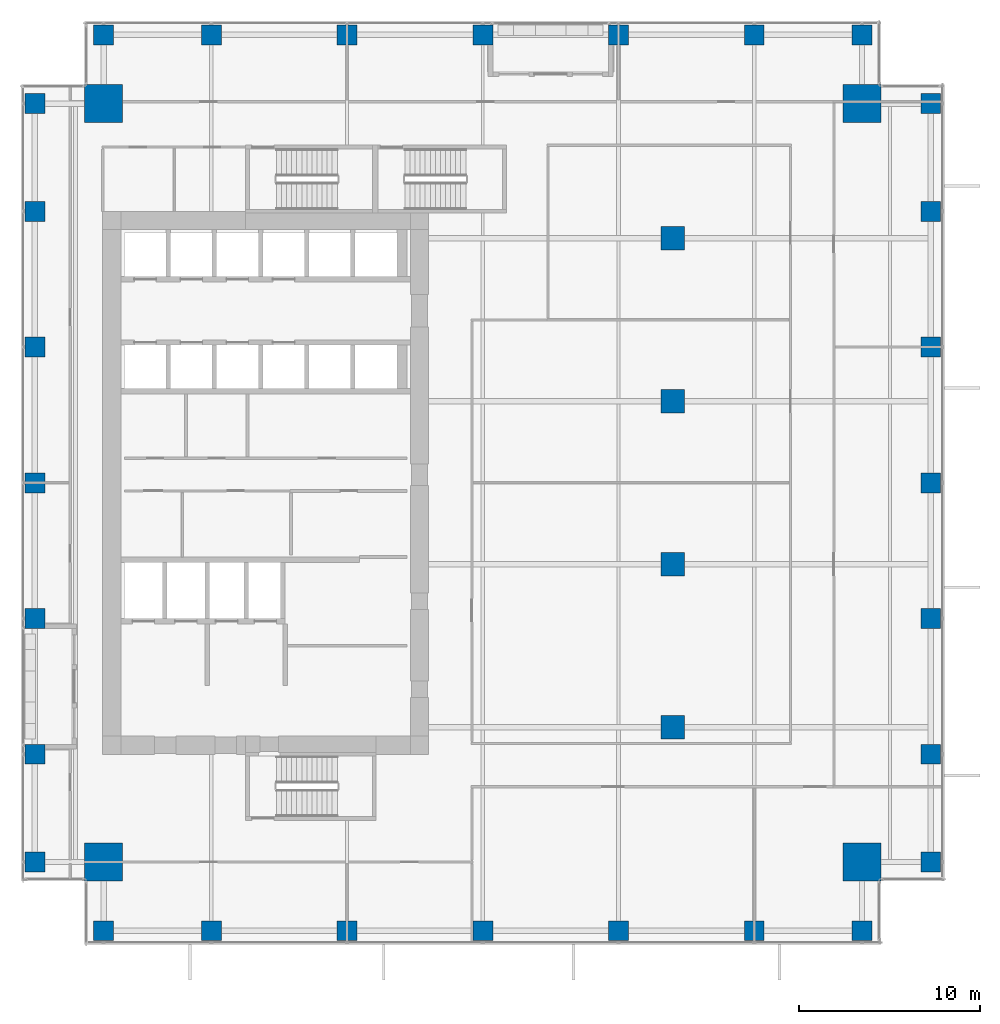
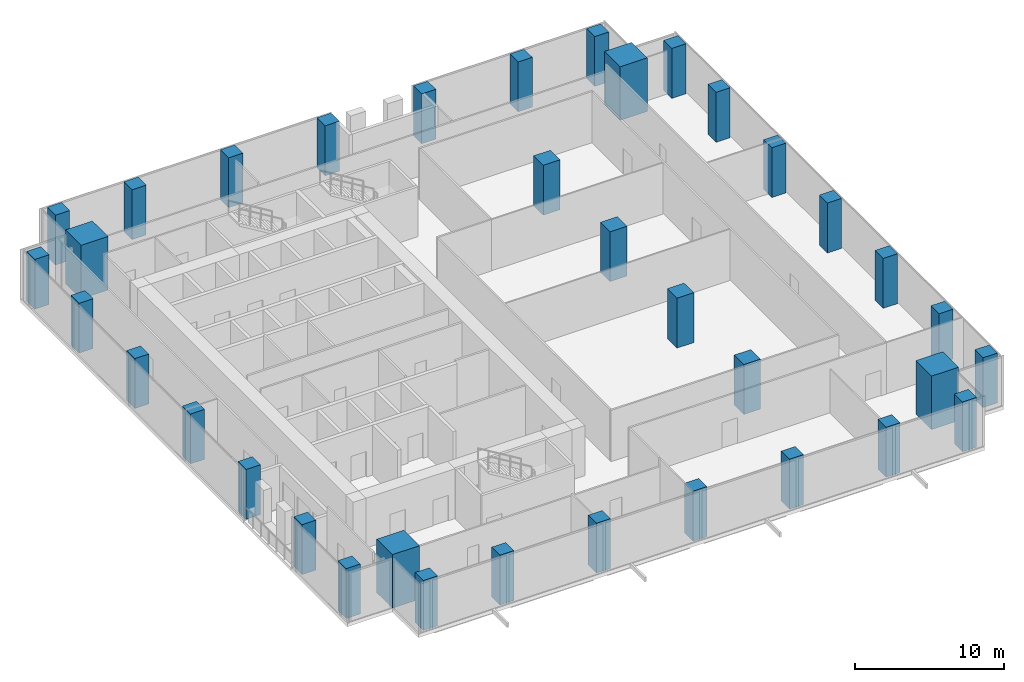
# One storey, part 1 of 34: 36 columns.
"""IFC4 building model written with IfcOpenShell, lengths in metres."""

from ifc_helpers import new_model, si_unit, direction, frame, origin, origin_2d, place, context, subcontext, project, spatial, rectangle, extrude, source, transform, mapped, material, material_profile, profile_set, type_object, element, save


model = new_model("IFC4")

# Units and contexts
model_context = context("Model", 3, precision=1e-05, world=origin(), true_north=direction((0.0, 1.0)))
body_context = subcontext(model_context, "Body", "Model", "MODEL_VIEW")
ifc_project = project(units=[si_unit("LENGTHUNIT", "METRE"), si_unit("AREAUNIT", "SQUARE_METRE"), si_unit("VOLUMEUNIT", "CUBIC_METRE"), si_unit("PLANEANGLEUNIT", "RADIAN"), si_unit("MASSUNIT", "GRAM", prefix="KILO")], contexts=[model_context])

# Site, building, storey
site_placement = place(None, origin())
site = spatial("IfcSite", under=ifc_project, at=site_placement, CompositionType="ELEMENT")
building_placement = place(site_placement, origin())
building = spatial("IfcBuilding", under=site, at=building_placement, Name="Khomas Fold Tower", CompositionType="ELEMENT")
storey_placement = place(building_placement, frame((0.0, 0.0, 123.5)))
storey = spatial("IfcBuildingStorey", under=building, at=storey_placement, Name="L26", CompositionType="ELEMENT", Elevation=123.5)

# Columns
ifc_material_1 = material(Name="Concrete C70/85", Category="concrete")
ifc_material_profile_1 = material_profile(ifc_material_1, rectangle(XDim=2.10009765625, YDim=2.10009765625, at=origin_2d()), Name="RC 2100x2100")
ifc_profile_set_1 = profile_set([ifc_material_profile_1], Name="Concrete C70/85")
column_type_1 = type_object("IfcColumnType", Name="RC 2100x2100 column", PredefinedType="COLUMN", material=ifc_profile_set_1)
shared_shape_1 = source(origin(), body_context, "Body", "SweptSolid", [
    extrude(rectangle(XDim=2.10009765625, YDim=2.10009765625, at=origin_2d()), origin(), (0.0, 0.0, 1.0), 4.39990234375),
])
for number, where, z_axis, x_axis, name in (
    (1, (47.949951171875, 47.949951171875, 0.0), (0.0, 0.0, 1.0), (1.0, 0.0, 0.0), "CM-NE"),
    (2, (6.050048828125, 47.949951171875, 0.0), (0.0, 0.0, 1.0), (1.0, 0.0, 0.0), "CM-NW"),
    (3, (47.949951171875, 6.050048828125, 0.0), (0.0, 0.0, 1.0), (1.0, 0.0, 0.0), "CM-SE"),
    (4, (6.050048828125, 6.050048828125, 0.0), (0.0, 0.0, 1.0), (1.0, 0.0, 0.0), "CM-SW"),
):
    element("IfcColumn", number, at=place(storey_placement, frame(where, z_axis=z_axis, x_axis=x_axis)), inside=storey, type_object=column_type_1, Name=name, PredefinedType="COLUMN", context=body_context, shape_type="MappedRepresentation", body=[
        mapped(shared_shape_1, transform((0.0, 0.0, 0.0))),
    ])
ifc_material_2 = material(Name="Concrete C50/60", Category="concrete")
ifc_material_profile_2 = material_profile(ifc_material_2, rectangle(XDim=1.10009765625, YDim=1.10009765625, at=origin_2d()), Name="RC 1100x1100")
ifc_profile_set_2 = profile_set([ifc_material_profile_2], Name="Concrete C50/60")
column_type_2 = type_object("IfcColumnType", Name="RC 1100x1100 column", PredefinedType="COLUMN", material=ifc_profile_set_2)
shared_shape_2 = source(origin(), body_context, "Body", "SweptSolid", [
    extrude(rectangle(XDim=1.10009765625, YDim=1.10009765625, at=origin_2d()), origin(), (0.0, 0.0, 1.0), 4.10009765625),
])
for number, where, z_axis, x_axis, name in (
    (5, (6.050048828125, 2.25, 0.0), (0.0, 0.0, 1.0), (1.0, 0.0, 0.0), "C-3-SF2"),
    (6, (12.0, 2.25, 0.0), (0.0, 0.0, 1.0), (1.0, 0.0, 0.0), "C-6-SF2"),
    (7, (19.5, 2.25, 0.0), (0.0, 0.0, 1.0), (1.0, 0.0, 0.0), "C-8-SF2"),
    (8, (27.0, 2.25, 0.0), (0.0, 0.0, 1.0), (1.0, 0.0, 0.0), "C-9-SF2"),
    (9, (34.5, 2.25, 0.0), (0.0, 0.0, 1.0), (1.0, 0.0, 0.0), "C-10-SF2"),
    (10, (42.0, 2.25, 0.0), (0.0, 0.0, 1.0), (1.0, 0.0, 0.0), "C-13-SF2"),
    (11, (47.949951171875, 2.25, 0.0), (0.0, 0.0, 1.0), (1.0, 0.0, 0.0), "C-16-SF2"),
    (12, (51.75, 6.050048828125, 0.0), (0.0, 0.0, 1.0), (1.0, 0.0, 0.0), "C-E2-C"),
    (13, (51.75, 12.0, 0.0), (0.0, 0.0, 1.0), (1.0, 0.0, 0.0), "C-E2-F"),
    (14, (51.75, 19.5, 0.0), (0.0, 0.0, 1.0), (1.0, 0.0, 0.0), "C-E2-J"),
    (15, (51.75, 27.0, 0.0), (0.0, 0.0, 1.0), (1.0, 0.0, 0.0), "C-E2-L"),
    (16, (51.75, 34.5, 0.0), (0.0, 0.0, 1.0), (1.0, 0.0, 0.0), "C-E2-N"),
    (17, (51.75, 42.0, 0.0), (0.0, 0.0, 1.0), (1.0, 0.0, 0.0), "C-E2-R"),
    (18, (51.75, 47.949951171875, 0.0), (0.0, 0.0, 1.0), (1.0, 0.0, 0.0), "C-E2-U"),
    (19, (6.050048828125, 51.75, 0.0), (0.0, 0.0, 1.0), (1.0, 0.0, 0.0), "C-3-NF2"),
    (20, (12.0, 51.75, 0.0), (0.0, 0.0, 1.0), (1.0, 0.0, 0.0), "C-6-NF2"),
    (21, (19.5, 51.75, 0.0), (0.0, 0.0, 1.0), (1.0, 0.0, 0.0), "C-8-NF2"),
    (22, (27.0, 51.75, 0.0), (0.0, 0.0, 1.0), (1.0, 0.0, 0.0), "C-9-NF2"),
    (23, (34.5, 51.75, 0.0), (0.0, 0.0, 1.0), (1.0, 0.0, 0.0), "C-10-NF2"),
    (24, (42.0, 51.75, 0.0), (0.0, 0.0, 1.0), (1.0, 0.0, 0.0), "C-13-NF2"),
    (25, (47.949951171875, 51.75, 0.0), (0.0, 0.0, 1.0), (1.0, 0.0, 0.0), "C-16-NF2"),
    (26, (2.25, 6.050048828125, 0.0), (0.0, 0.0, 1.0), (1.0, 0.0, 0.0), "C-W2-C"),
    (27, (2.25, 12.0, 0.0), (0.0, 0.0, 1.0), (1.0, 0.0, 0.0), "C-W2-F"),
    (28, (2.25, 19.5, 0.0), (0.0, 0.0, 1.0), (1.0, 0.0, 0.0), "C-W2-J"),
    (29, (2.25, 27.0, 0.0), (0.0, 0.0, 1.0), (1.0, 0.0, 0.0), "C-W2-L"),
    (30, (2.25, 34.5, 0.0), (0.0, 0.0, 1.0), (1.0, 0.0, 0.0), "C-W2-N"),
    (31, (2.25, 42.0, 0.0), (0.0, 0.0, 1.0), (1.0, 0.0, 0.0), "C-W2-R"),
    (32, (2.25, 47.949951171875, 0.0), (0.0, 0.0, 1.0), (1.0, 0.0, 0.0), "C-W2-U"),
):
    element("IfcColumn", number, at=place(storey_placement, frame(where, z_axis=z_axis, x_axis=x_axis)), inside=storey, type_object=column_type_2, Name=name, PredefinedType="COLUMN", context=body_context, shape_type="MappedRepresentation", body=[
        mapped(shared_shape_2, transform((0.0, 0.0, 0.0))),
    ])
ifc_material_3 = material(Name="Concrete C60/75", Category="concrete")
ifc_material_profile_3 = material_profile(ifc_material_3, rectangle(XDim=1.300048828125, YDim=1.300048828125, at=origin_2d()), Name="RC 1300x1300")
ifc_profile_set_3 = profile_set([ifc_material_profile_3], Name="Concrete C60/75")
column_type_3 = type_object("IfcColumnType", Name="RC 1300x1300 column", PredefinedType="COLUMN", material=ifc_profile_set_3)
shared_shape_3 = source(origin(), body_context, "Body", "SweptSolid", [
    extrude(rectangle(XDim=1.300048828125, YDim=1.300048828125, at=origin_2d()), origin(), (0.0, 0.0, 1.0), 4.10009765625),
])
for number, where, z_axis, x_axis, name in (
    (33, (37.5, 13.5, 0.0), (0.0, 0.0, 1.0), (1.0, 0.0, 0.0), "C-11-H"),
    (34, (37.5, 22.5, 0.0), (0.0, 0.0, 1.0), (1.0, 0.0, 0.0), "C-11-K"),
    (35, (37.5, 31.5, 0.0), (0.0, 0.0, 1.0), (1.0, 0.0, 0.0), "C-11-M"),
    (36, (37.5, 40.5, 0.0), (0.0, 0.0, 1.0), (1.0, 0.0, 0.0), "C-11-P"),
):
    element("IfcColumn", number, at=place(storey_placement, frame(where, z_axis=z_axis, x_axis=x_axis)), inside=storey, type_object=column_type_3, Name=name, PredefinedType="COLUMN", context=body_context, shape_type="MappedRepresentation", body=[
        mapped(shared_shape_3, transform((0.0, 0.0, 0.0))),
    ])

save(model, "model.ifc")
